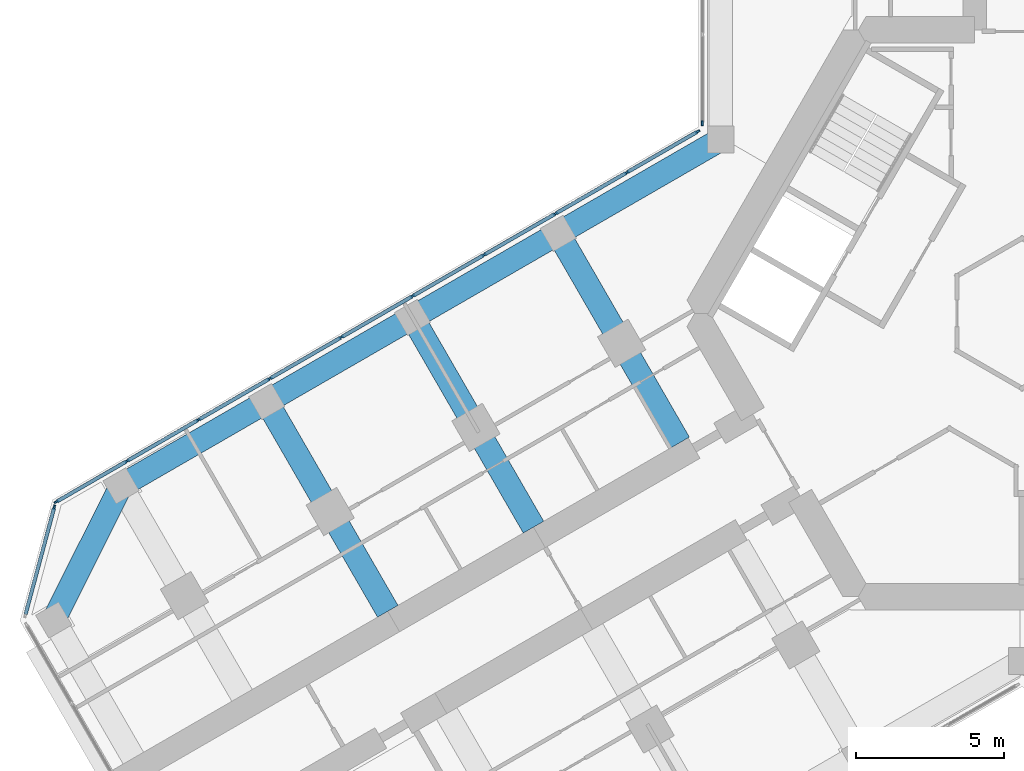
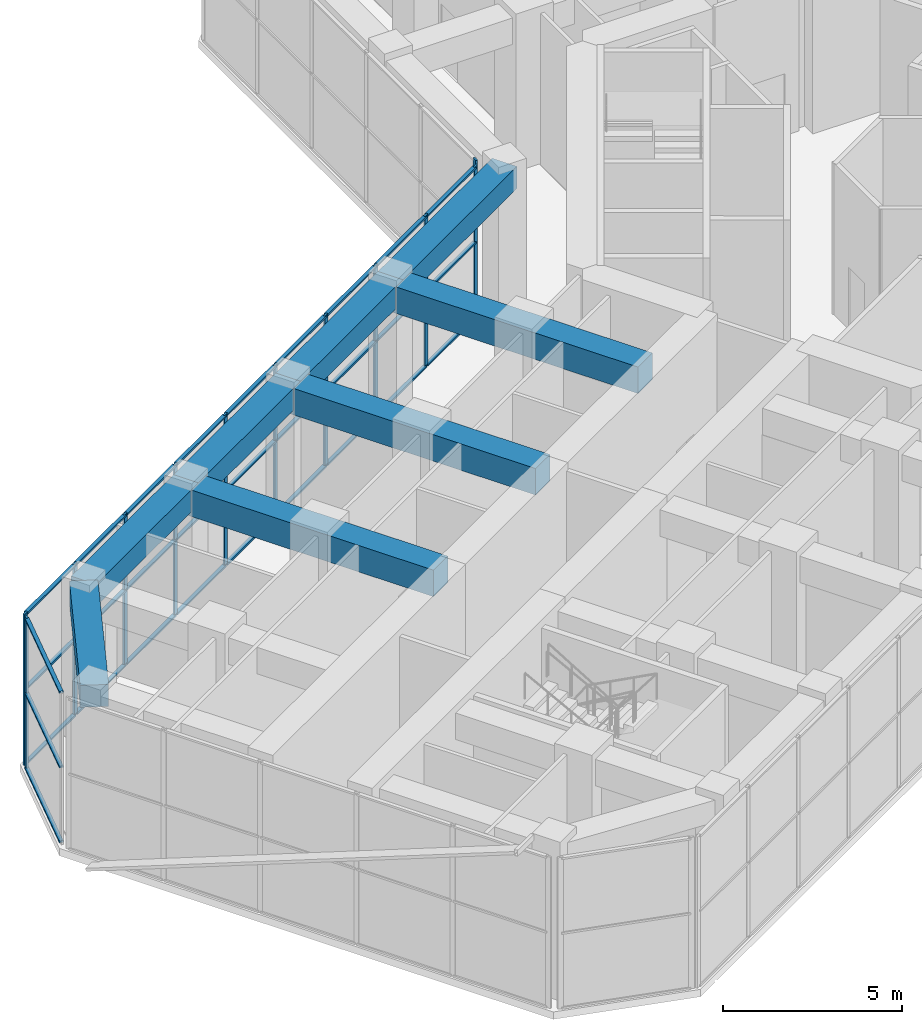
# One storey, part 4 of 20: 42 members, 8 beams, 3 elements without a shape of their own.
"""IFC4 building model written with IfcOpenShell, lengths in metres."""

from ifc_helpers import new_model, si_unit, direction, frame, origin, origin_2d, place, context, subcontext, project, spatial, rectangle, extrude, material, material_profile, profile_set, type_object, element, aggregate, save


model = new_model("IFC4")

# Units and contexts
model_context = context("Model", 3, precision=1e-05, world=origin(), true_north=direction((0.0, 1.0)))
body_context = subcontext(model_context, "Body", "Model", "MODEL_VIEW")
ifc_project = project(units=[si_unit("LENGTHUNIT", "METRE"), si_unit("AREAUNIT", "SQUARE_METRE"), si_unit("VOLUMEUNIT", "CUBIC_METRE"), si_unit("PLANEANGLEUNIT", "RADIAN"), si_unit("MASSUNIT", "GRAM", prefix="KILO")], contexts=[model_context])

# Site, building, storey
site_placement = place(None, origin())
site = spatial("IfcSite", under=ifc_project, at=site_placement, CompositionType="ELEMENT")
building_placement = place(site_placement, origin())
building = spatial("IfcBuilding", under=site, at=building_placement, Name="Kosmar Iwan School Tower", CompositionType="ELEMENT")
storey_placement = place(building_placement, frame((0.0, 0.0, 152.60009765625)))
storey = spatial("IfcBuildingStorey", under=building, at=storey_placement, Name="L38", CompositionType="ELEMENT", Elevation=152.60009765625)

# Curtain wall, member
ifc_material_1 = material(Name="Dark glass in black aluminium frame", Category="aluminium")
curtain_wall_type_1 = type_object("IfcCurtainWallType", Name="Winter garden curtain wall", PredefinedType="USERDEFINED", material=ifc_material_1)
curtain_wall_1_placement = place(storey_placement, origin())
curtain_wall_1 = element("IfcCurtainWall", 1, at=curtain_wall_1_placement, inside=storey, type_object=curtain_wall_type_1, Name="Curtain wall L38-F10", ObjectType="WINTER GARDEN CURTAIN WALL", PredefinedType="USERDEFINED")
ifc_material_2 = material(Name="Black anodised aluminium", Category="aluminium")
ifc_material_profile_1 = material_profile(ifc_material_2, rectangle(XDim=0.06005859375, YDim=0.159912109375, at=origin_2d()), Name="MULLION 60x160")
ifc_profile_set_1 = profile_set([ifc_material_profile_1], Name="Black anodised aluminium")
member_type_1 = type_object("IfcMemberType", Name="Mullion 60x160", PredefinedType="MULLION", material=ifc_profile_set_1)
member_1_placement = place(storey_placement, frame((-10.824951171875, 6.43896484375, 0.0), z_axis=(0.0, 0.0, 1.0), x_axis=(-1.0, 0.0, 0.0)))
member_1 = element("IfcMember", 2, at=member_1_placement, type_object=member_type_1, Name="CW7 mullion 1", PredefinedType="MULLION", context=body_context, shape_type="SweptSolid", body=[
    extrude(rectangle(XDim=0.06005859375, YDim=0.159912109375, at=origin_2d()), origin(), (0.0, 0.0, 1.0), 5.14990234375),
])
aggregate(curtain_wall_1, [member_1])

# Curtain wall, members
curtain_wall_2_placement = place(storey_placement, origin())
curtain_wall_2 = element("IfcCurtainWall", 3, at=curtain_wall_2_placement, inside=storey, type_object=curtain_wall_type_1, Name="Curtain wall L38-F11", ObjectType="WINTER GARDEN CURTAIN WALL", PredefinedType="USERDEFINED")
member_2_placement = place(storey_placement, frame((-10.98876953125, 6.1552734375, 0.0), z_axis=(0.0, 0.0, 1.0), x_axis=(0.500000014888, -0.866025395189, 0.0)))
member_2 = element("IfcMember", 4, at=member_2_placement, type_object=member_type_1, Name="CW7 mullion 1", PredefinedType="MULLION", context=body_context, shape_type="SweptSolid", body=[
    extrude(rectangle(XDim=0.06005859375, YDim=0.159912109375, at=origin_2d()), origin(), (0.0, 0.0, 1.0), 5.14990234375),
])
member_3_placement = place(storey_placement, frame((-13.3818359375, 4.773681640625, 0.0), z_axis=(0.0, 0.0, 1.0), x_axis=(0.500000014888, -0.866025395189, 0.0)))
member_3 = element("IfcMember", 5, at=member_3_placement, type_object=member_type_1, Name="CW7 mullion 2", PredefinedType="MULLION", context=body_context, shape_type="SweptSolid", body=[
    extrude(rectangle(XDim=0.06005859375, YDim=0.159912109375, at=origin_2d()), origin(), (0.0, 0.0, 1.0), 5.14990234375),
])
member_4_placement = place(storey_placement, frame((-15.80078125, 3.376953125, 0.0), z_axis=(0.0, 0.0, 1.0), x_axis=(0.500000014888, -0.866025395189, 0.0)))
member_4 = element("IfcMember", 6, at=member_4_placement, type_object=member_type_1, Name="CW7 mullion 3", PredefinedType="MULLION", context=body_context, shape_type="SweptSolid", body=[
    extrude(rectangle(XDim=0.06005859375, YDim=0.159912109375, at=origin_2d()), origin(), (0.0, 0.0, 1.0), 5.14990234375),
])
member_5_placement = place(storey_placement, frame((-18.219970703125, 1.98046875, 0.0), z_axis=(0.0, 0.0, 1.0), x_axis=(0.500000014888, -0.866025395189, 0.0)))
member_5 = element("IfcMember", 7, at=member_5_placement, type_object=member_type_1, Name="CW7 mullion 4", PredefinedType="MULLION", context=body_context, shape_type="SweptSolid", body=[
    extrude(rectangle(XDim=0.06005859375, YDim=0.159912109375, at=origin_2d()), origin(), (0.0, 0.0, 1.0), 5.14990234375),
])
member_6_placement = place(storey_placement, frame((-20.638916015625, 0.583740234375, 0.0), z_axis=(0.0, 0.0, 1.0), x_axis=(0.500000014888, -0.866025395189, 0.0)))
member_6 = element("IfcMember", 8, at=member_6_placement, type_object=member_type_1, Name="CW7 mullion 5", PredefinedType="MULLION", context=body_context, shape_type="SweptSolid", body=[
    extrude(rectangle(XDim=0.06005859375, YDim=0.159912109375, at=origin_2d()), origin(), (0.0, 0.0, 1.0), 5.14990234375),
])
member_7_placement = place(storey_placement, frame((-23.057861328125, -0.81298828125, 0.0), z_axis=(0.0, 0.0, 1.0), x_axis=(0.500000014888, -0.866025395189, 0.0)))
member_7 = element("IfcMember", 9, at=member_7_placement, type_object=member_type_1, Name="CW7 mullion 6", PredefinedType="MULLION", context=body_context, shape_type="SweptSolid", body=[
    extrude(rectangle(XDim=0.06005859375, YDim=0.159912109375, at=origin_2d()), origin(), (0.0, 0.0, 1.0), 5.14990234375),
])
member_8_placement = place(storey_placement, frame((-25.47705078125, -2.20947265625, 0.0), z_axis=(0.0, 0.0, 1.0), x_axis=(0.500000014888, -0.866025395189, 0.0)))
member_8 = element("IfcMember", 10, at=member_8_placement, type_object=member_type_1, Name="CW7 mullion 7", PredefinedType="MULLION", context=body_context, shape_type="SweptSolid", body=[
    extrude(rectangle(XDim=0.06005859375, YDim=0.159912109375, at=origin_2d()), origin(), (0.0, 0.0, 1.0), 5.14990234375),
])
member_9_placement = place(storey_placement, frame((-27.89599609375, -3.606201171875, 0.0), z_axis=(0.0, 0.0, 1.0), x_axis=(0.500000014888, -0.866025395189, 0.0)))
member_9 = element("IfcMember", 11, at=member_9_placement, type_object=member_type_1, Name="CW7 mullion 8", PredefinedType="MULLION", context=body_context, shape_type="SweptSolid", body=[
    extrude(rectangle(XDim=0.06005859375, YDim=0.159912109375, at=origin_2d()), origin(), (0.0, 0.0, 1.0), 5.14990234375),
])
member_10_placement = place(storey_placement, frame((-30.31494140625, -5.002685546875, 0.0), z_axis=(0.0, 0.0, 1.0), x_axis=(0.500000014888, -0.866025395189, 0.0)))
member_10 = element("IfcMember", 12, at=member_10_placement, type_object=member_type_1, Name="CW7 mullion 9", PredefinedType="MULLION", context=body_context, shape_type="SweptSolid", body=[
    extrude(rectangle(XDim=0.06005859375, YDim=0.159912109375, at=origin_2d()), origin(), (0.0, 0.0, 1.0), 5.14990234375),
])
member_11_placement = place(storey_placement, frame((-32.7080078125, -6.38427734375, 0.0), z_axis=(0.0, 0.0, 1.0), x_axis=(0.500000014888, -0.866025395189, 0.0)))
member_11 = element("IfcMember", 13, at=member_11_placement, type_object=member_type_1, Name="CW7 mullion 10", PredefinedType="MULLION", context=body_context, shape_type="SweptSolid", body=[
    extrude(rectangle(XDim=0.06005859375, YDim=0.159912109375, at=origin_2d()), origin(), (0.0, 0.0, 1.0), 5.14990234375),
])

# Curtain wall, member
ifc_material_3 = material(Name="Dark glass in black aluminium frame", Category="aluminium")
curtain_wall_type_2 = type_object("IfcCurtainWallType", Name="Chamfer curtain wall dark glass", PredefinedType="USERDEFINED", material=ifc_material_3)
curtain_wall_3_placement = place(storey_placement, origin())
curtain_wall_3 = element("IfcCurtainWall", 14, at=curtain_wall_3_placement, inside=storey, type_object=curtain_wall_type_2, Name="Curtain wall L38-F12", ObjectType="FACETED CURTAIN WALL", PredefinedType="USERDEFINED")
member_12_placement = place(storey_placement, frame((-32.78076171875, -6.5732421875, 0.0), z_axis=(0.0, 0.0, 1.0), x_axis=(0.965925875495, -0.258818861462, 0.0)))
member_12 = element("IfcMember", 15, at=member_12_placement, type_object=member_type_1, Name="CW2 mullion 1", PredefinedType="MULLION", context=body_context, shape_type="SweptSolid", body=[
    extrude(rectangle(XDim=0.06005859375, YDim=0.159912109375, at=origin_2d()), origin(), (0.0, 0.0, 1.0), 5.14990234375),
])

# Beams
ifc_material_4 = material(Name="Concrete C50/60", Category="concrete")
ifc_material_profile_2 = material_profile(ifc_material_4, rectangle(XDim=0.800048828125, YDim=0.75, at=origin_2d()), Name="RC 800x750")
ifc_profile_set_2 = profile_set([ifc_material_profile_2], Name="Concrete C50/60")
beam_type_1 = type_object("IfcBeamType", Name="RC edge beam 800x750", PredefinedType="BEAM", material=ifc_profile_set_2)
beam_1_placement = place(storey_placement, frame((-10.199951171875, 5.888916015625, 4.77490234375), z_axis=(-0.866030912664, -0.49999045822, 0.0), x_axis=(0.49999045822, -0.866030912664, 0.0)))
element("IfcBeam", 16, at=beam_1_placement, inside=storey, type_object=beam_type_1, Name="Edge beam BR1", PredefinedType="BEAM", context=body_context, shape_type="SweptSolid", body=[
    extrude(rectangle(XDim=0.800048828125, YDim=0.75, at=origin_2d()), origin(), (0.0, 0.0, 1.0), 6.36083984375),
])
beam_2_placement = place(storey_placement, frame((-15.708740234375, 2.70849609375, 4.77490234375), z_axis=(-0.866025820012, -0.499999279071, 0.0), x_axis=(0.499999279071, -0.866025820012, 0.0)))
element("IfcBeam", 17, at=beam_2_placement, inside=storey, type_object=beam_type_1, Name="Edge beam BR2", PredefinedType="BEAM", context=body_context, shape_type="SweptSolid", body=[
    extrude(rectangle(XDim=0.800048828125, YDim=0.75, at=origin_2d()), origin(), (0.0, 0.0, 1.0), 5.7001953125),
])
for number, where, z_axis, x_axis, name in (
    (18, (-20.645263671875, -0.1416015625, 4.77490234375), (-0.866033658841, -0.49998570155, 0.0), (0.49998570155, -0.866033658841, 0.0), "Edge beam BR3"),
    (19, (-25.58154296875, -2.991455078125, 4.77490234375), (-0.866015111908, -0.50001782563, 0.0), (0.50001782563, -0.866015111908, 0.0), "Edge beam BR4"),
):
    element("IfcBeam", number, at=place(storey_placement, frame(where, z_axis=z_axis, x_axis=x_axis)), inside=storey, type_object=beam_type_1, Name=name, PredefinedType="BEAM", context=body_context, shape_type="SweptSolid", body=[
        extrude(rectangle(XDim=0.800048828125, YDim=0.75, at=origin_2d()), origin(), (0.0, 0.0, 1.0), 5.699951171875),
    ])
ifc_material_5 = material(Name="Concrete C50/60", Category="concrete")
ifc_material_profile_3 = material_profile(ifc_material_5, rectangle(XDim=0.800048828125, YDim=0.75, at=origin_2d()), Name="RC 800x750")
ifc_profile_set_3 = profile_set([ifc_material_profile_3], Name="Concrete C50/60")
beam_type_2 = type_object("IfcBeamType", Name="RC tip beam 800x750", PredefinedType="BEAM", material=ifc_profile_set_3)
beam_3_placement = place(storey_placement, frame((-30.517822265625, -5.841552734375, 4.77490234375), z_axis=(-0.44809604203, -0.893985423325, 0.0), x_axis=(0.893985423325, -0.44809604203, 0.0)))
element("IfcBeam", 20, at=beam_3_placement, inside=storey, type_object=beam_type_2, Name="Tip beam BR", PredefinedType="BEAM", context=body_context, shape_type="SweptSolid", body=[
    extrude(rectangle(XDim=0.800048828125, YDim=0.75, at=origin_2d()), origin(), (0.0, 0.0, 1.0), 5.08935546875),
])
ifc_material_6 = material(Name="Concrete C50/60", Category="concrete")
ifc_material_profile_4 = material_profile(ifc_material_6, rectangle(XDim=0.800048828125, YDim=0.89990234375, at=origin_2d()), Name="RC 800x900")
ifc_profile_set_4 = profile_set([ifc_material_profile_4], Name="Concrete C50/60")
beam_type_3 = type_object("IfcBeamType", Name="RC transverse beam 800x900", PredefinedType="BEAM", material=ifc_profile_set_4)
for number, where, z_axis, x_axis, name in (
    (21, (-15.708740234375, 2.70849609375, 4.699951171875), (0.499978459874, -0.866037839625, 0.0), (0.866037839625, 0.499978459874, 0.0), "Transverse beam BR1"),
    (22, (-20.645263671875, -0.1416015625, 4.699951171875), (0.500013681986, -0.866017504342, 0.0), (0.866017504342, 0.500013681986, 0.0), "Transverse beam BR2"),
):
    element("IfcBeam", number, at=place(storey_placement, frame(where, z_axis=z_axis, x_axis=x_axis)), inside=storey, type_object=beam_type_3, Name=name, PredefinedType="BEAM", context=body_context, shape_type="SweptSolid", body=[
        extrude(rectangle(XDim=0.800048828125, YDim=0.89990234375, at=origin_2d()), origin(), (0.0, 0.0, 1.0), 8.199951171875),
    ])
beam_4_placement = place(storey_placement, frame((-25.58154296875, -2.991455078125, 4.699951171875), z_axis=(0.500000789788, -0.8660249478, 0.0), x_axis=(0.8660249478, 0.500000789788, 0.0)))
element("IfcBeam", 23, at=beam_4_placement, inside=storey, type_object=beam_type_3, Name="Transverse beam BR3", PredefinedType="BEAM", context=body_context, shape_type="SweptSolid", body=[
    extrude(rectangle(XDim=0.800048828125, YDim=0.89990234375, at=origin_2d()), origin(), (0.0, 0.0, 1.0), 8.2001953125),
])

# Member
ifc_material_7 = material(Name="Black anodised aluminium", Category="aluminium")
ifc_material_profile_5 = material_profile(ifc_material_7, rectangle(XDim=0.1201171875, YDim=0.06005859375, at=origin_2d()), Name="TRANSOM 60x120")
ifc_profile_set_5 = profile_set([ifc_material_profile_5], Name="Black anodised aluminium")
member_type_2 = type_object("IfcMemberType", Name="Transom 60x120", PredefinedType="USERDEFINED", material=ifc_profile_set_5)
member_13_placement = place(storey_placement, frame((-11.014892578125, 6.14013671875, 0.02978515625), z_axis=(-0.866033683985, -0.499985657998, 0.0), x_axis=(0.499985657998, -0.866033683985, 0.0)))
member_13 = element("IfcMember", 24, at=member_13_placement, type_object=member_type_2, Name="CW7 transom 1.1", ObjectType="TRANSOM", PredefinedType="USERDEFINED", context=body_context, shape_type="SweptSolid", body=[
    extrude(rectangle(XDim=0.1201171875, YDim=0.06005859375, at=origin_2d()), origin(), (0.0, 0.0, 1.0), 2.703125),
])

member_14_placement = place(storey_placement, frame((-11.014892578125, 6.14013671875, 2.574951171875), z_axis=(-0.866033683985, -0.499985657998, 0.0), x_axis=(0.499985657998, -0.866033683985, 0.0)))
member_14 = element("IfcMember", 25, at=member_14_placement, type_object=member_type_2, Name="CW7 transom 1.2", ObjectType="TRANSOM", PredefinedType="USERDEFINED", context=body_context, shape_type="SweptSolid", body=[
    extrude(rectangle(XDim=0.1201171875, YDim=0.06005859375, at=origin_2d()), origin(), (0.0, 0.0, 1.0), 2.703125),
])

member_15_placement = place(storey_placement, frame((-11.014892578125, 6.14013671875, 5.119873046875), z_axis=(-0.866033683985, -0.499985657998, 0.0), x_axis=(0.499985657998, -0.866033683985, 0.0)))
member_15 = element("IfcMember", 26, at=member_15_placement, type_object=member_type_2, Name="CW7 transom 1.3", ObjectType="TRANSOM", PredefinedType="USERDEFINED", context=body_context, shape_type="SweptSolid", body=[
    extrude(rectangle(XDim=0.1201171875, YDim=0.06005859375, at=origin_2d()), origin(), (0.0, 0.0, 1.0), 2.703125),
])

member_16_placement = place(storey_placement, frame((-13.407958984375, 4.758544921875, 0.02978515625), z_axis=(-0.866041295585, -0.499972473583, 0.0), x_axis=(0.499972473583, -0.866041295585, 0.0)))
member_16 = element("IfcMember", 27, at=member_16_placement, type_object=member_type_2, Name="CW7 transom 2.1", ObjectType="TRANSOM", PredefinedType="USERDEFINED", context=body_context, shape_type="SweptSolid", body=[
    extrude(rectangle(XDim=0.1201171875, YDim=0.06005859375, at=origin_2d()), origin(), (0.0, 0.0, 1.0), 2.733154296875),
])

member_17_placement = place(storey_placement, frame((-13.407958984375, 4.758544921875, 2.574951171875), z_axis=(-0.866041295585, -0.499972473583, 0.0), x_axis=(0.499972473583, -0.866041295585, 0.0)))
member_17 = element("IfcMember", 28, at=member_17_placement, type_object=member_type_2, Name="CW7 transom 2.2", ObjectType="TRANSOM", PredefinedType="USERDEFINED", context=body_context, shape_type="SweptSolid", body=[
    extrude(rectangle(XDim=0.1201171875, YDim=0.06005859375, at=origin_2d()), origin(), (0.0, 0.0, 1.0), 2.733154296875),
])

member_18_placement = place(storey_placement, frame((-13.407958984375, 4.758544921875, 5.119873046875), z_axis=(-0.866041295585, -0.499972473583, 0.0), x_axis=(0.499972473583, -0.866041295585, 0.0)))
member_18 = element("IfcMember", 29, at=member_18_placement, type_object=member_type_2, Name="CW7 transom 2.3", ObjectType="TRANSOM", PredefinedType="USERDEFINED", context=body_context, shape_type="SweptSolid", body=[
    extrude(rectangle(XDim=0.1201171875, YDim=0.06005859375, at=origin_2d()), origin(), (0.0, 0.0, 1.0), 2.733154296875),
])

member_19_placement = place(storey_placement, frame((-15.826904296875, 3.362060546875, 0.02978515625), z_axis=(-0.866002615699, -0.500039468044, 0.0), x_axis=(0.500039468044, -0.866002615699, 0.0)))
member_19 = element("IfcMember", 30, at=member_19_placement, type_object=member_type_2, Name="CW7 transom 3.1", ObjectType="TRANSOM", PredefinedType="USERDEFINED", context=body_context, shape_type="SweptSolid", body=[
    extrude(rectangle(XDim=0.1201171875, YDim=0.06005859375, at=origin_2d()), origin(), (0.0, 0.0, 1.0), 2.733154296875),
])

member_20_placement = place(storey_placement, frame((-15.826904296875, 3.362060546875, 2.574951171875), z_axis=(-0.866002615699, -0.500039468044, 0.0), x_axis=(0.500039468044, -0.866002615699, 0.0)))
member_20 = element("IfcMember", 31, at=member_20_placement, type_object=member_type_2, Name="CW7 transom 3.2", ObjectType="TRANSOM", PredefinedType="USERDEFINED", context=body_context, shape_type="SweptSolid", body=[
    extrude(rectangle(XDim=0.1201171875, YDim=0.06005859375, at=origin_2d()), origin(), (0.0, 0.0, 1.0), 2.733154296875),
])

member_21_placement = place(storey_placement, frame((-15.826904296875, 3.362060546875, 5.119873046875), z_axis=(-0.866002615699, -0.500039468044, 0.0), x_axis=(0.500039468044, -0.866002615699, 0.0)))
member_21 = element("IfcMember", 32, at=member_21_placement, type_object=member_type_2, Name="CW7 transom 3.3", ObjectType="TRANSOM", PredefinedType="USERDEFINED", context=body_context, shape_type="SweptSolid", body=[
    extrude(rectangle(XDim=0.1201171875, YDim=0.06005859375, at=origin_2d()), origin(), (0.0, 0.0, 1.0), 2.733154296875),
])

member_22_placement = place(storey_placement, frame((-18.245849609375, 1.96533203125, 0.02978515625), z_axis=(-0.8660249478, -0.500000789788, 0.0), x_axis=(0.500000789788, -0.8660249478, 0.0)))
member_22 = element("IfcMember", 33, at=member_22_placement, type_object=member_type_2, Name="CW7 transom 4.1", ObjectType="TRANSOM", PredefinedType="USERDEFINED", context=body_context, shape_type="SweptSolid", body=[
    extrude(rectangle(XDim=0.1201171875, YDim=0.06005859375, at=origin_2d()), origin(), (0.0, 0.0, 1.0), 2.7333984375),
])

member_23_placement = place(storey_placement, frame((-18.245849609375, 1.96533203125, 2.574951171875), z_axis=(-0.8660249478, -0.500000789788, 0.0), x_axis=(0.500000789788, -0.8660249478, 0.0)))
member_23 = element("IfcMember", 34, at=member_23_placement, type_object=member_type_2, Name="CW7 transom 4.2", ObjectType="TRANSOM", PredefinedType="USERDEFINED", context=body_context, shape_type="SweptSolid", body=[
    extrude(rectangle(XDim=0.1201171875, YDim=0.06005859375, at=origin_2d()), origin(), (0.0, 0.0, 1.0), 2.7333984375),
])

member_24_placement = place(storey_placement, frame((-18.245849609375, 1.96533203125, 5.119873046875), z_axis=(-0.8660249478, -0.500000789788, 0.0), x_axis=(0.500000789788, -0.8660249478, 0.0)))
member_24 = element("IfcMember", 35, at=member_24_placement, type_object=member_type_2, Name="CW7 transom 4.3", ObjectType="TRANSOM", PredefinedType="USERDEFINED", context=body_context, shape_type="SweptSolid", body=[
    extrude(rectangle(XDim=0.1201171875, YDim=0.06005859375, at=origin_2d()), origin(), (0.0, 0.0, 1.0), 2.7333984375),
])

member_25_placement = place(storey_placement, frame((-20.664794921875, 0.56884765625, 0.02978515625), z_axis=(-0.8660249478, -0.500000789788, 0.0), x_axis=(0.500000789788, -0.8660249478, 0.0)))
member_25 = element("IfcMember", 36, at=member_25_placement, type_object=member_type_2, Name="CW7 transom 5.1", ObjectType="TRANSOM", PredefinedType="USERDEFINED", context=body_context, shape_type="SweptSolid", body=[
    extrude(rectangle(XDim=0.1201171875, YDim=0.06005859375, at=origin_2d()), origin(), (0.0, 0.0, 1.0), 2.7333984375),
])

member_26_placement = place(storey_placement, frame((-20.664794921875, 0.56884765625, 2.574951171875), z_axis=(-0.8660249478, -0.500000789788, 0.0), x_axis=(0.500000789788, -0.8660249478, 0.0)))
member_26 = element("IfcMember", 37, at=member_26_placement, type_object=member_type_2, Name="CW7 transom 5.2", ObjectType="TRANSOM", PredefinedType="USERDEFINED", context=body_context, shape_type="SweptSolid", body=[
    extrude(rectangle(XDim=0.1201171875, YDim=0.06005859375, at=origin_2d()), origin(), (0.0, 0.0, 1.0), 2.7333984375),
])

member_27_placement = place(storey_placement, frame((-20.664794921875, 0.56884765625, 5.119873046875), z_axis=(-0.8660249478, -0.500000789788, 0.0), x_axis=(0.500000789788, -0.8660249478, 0.0)))
member_27 = element("IfcMember", 38, at=member_27_placement, type_object=member_type_2, Name="CW7 transom 5.3", ObjectType="TRANSOM", PredefinedType="USERDEFINED", context=body_context, shape_type="SweptSolid", body=[
    extrude(rectangle(XDim=0.1201171875, YDim=0.06005859375, at=origin_2d()), origin(), (0.0, 0.0, 1.0), 2.7333984375),
])

member_28_placement = place(storey_placement, frame((-23.083984375, -0.827880859375, 0.02978515625), z_axis=(-0.866002615699, -0.500039468044, 0.0), x_axis=(0.500039468044, -0.866002615699, 0.0)))
member_28 = element("IfcMember", 39, at=member_28_placement, type_object=member_type_2, Name="CW7 transom 6.1", ObjectType="TRANSOM", PredefinedType="USERDEFINED", context=body_context, shape_type="SweptSolid", body=[
    extrude(rectangle(XDim=0.1201171875, YDim=0.06005859375, at=origin_2d()), origin(), (0.0, 0.0, 1.0), 2.733154296875),
])

member_29_placement = place(storey_placement, frame((-23.083984375, -0.827880859375, 2.574951171875), z_axis=(-0.866002615699, -0.500039468044, 0.0), x_axis=(0.500039468044, -0.866002615699, 0.0)))
member_29 = element("IfcMember", 40, at=member_29_placement, type_object=member_type_2, Name="CW7 transom 6.2", ObjectType="TRANSOM", PredefinedType="USERDEFINED", context=body_context, shape_type="SweptSolid", body=[
    extrude(rectangle(XDim=0.1201171875, YDim=0.06005859375, at=origin_2d()), origin(), (0.0, 0.0, 1.0), 2.733154296875),
])

member_30_placement = place(storey_placement, frame((-23.083984375, -0.827880859375, 5.119873046875), z_axis=(-0.866002615699, -0.500039468044, 0.0), x_axis=(0.500039468044, -0.866002615699, 0.0)))
member_30 = element("IfcMember", 41, at=member_30_placement, type_object=member_type_2, Name="CW7 transom 6.3", ObjectType="TRANSOM", PredefinedType="USERDEFINED", context=body_context, shape_type="SweptSolid", body=[
    extrude(rectangle(XDim=0.1201171875, YDim=0.06005859375, at=origin_2d()), origin(), (0.0, 0.0, 1.0), 2.733154296875),
])

member_31_placement = place(storey_placement, frame((-25.5029296875, -2.224609375, 0.02978515625), z_axis=(-0.866063622699, -0.499933797055, 0.0), x_axis=(0.499933797055, -0.866063622699, 0.0)))
member_31 = element("IfcMember", 42, at=member_31_placement, type_object=member_type_2, Name="CW7 transom 7.1", ObjectType="TRANSOM", PredefinedType="USERDEFINED", context=body_context, shape_type="SweptSolid", body=[
    extrude(rectangle(XDim=0.1201171875, YDim=0.06005859375, at=origin_2d()), origin(), (0.0, 0.0, 1.0), 2.733154296875),
])

member_32_placement = place(storey_placement, frame((-25.5029296875, -2.224609375, 2.574951171875), z_axis=(-0.866063622699, -0.499933797055, 0.0), x_axis=(0.499933797055, -0.866063622699, 0.0)))
member_32 = element("IfcMember", 43, at=member_32_placement, type_object=member_type_2, Name="CW7 transom 7.2", ObjectType="TRANSOM", PredefinedType="USERDEFINED", context=body_context, shape_type="SweptSolid", body=[
    extrude(rectangle(XDim=0.1201171875, YDim=0.06005859375, at=origin_2d()), origin(), (0.0, 0.0, 1.0), 2.733154296875),
])

member_33_placement = place(storey_placement, frame((-25.5029296875, -2.224609375, 5.119873046875), z_axis=(-0.866063622699, -0.499933797055, 0.0), x_axis=(0.499933797055, -0.866063622699, 0.0)))
member_33 = element("IfcMember", 44, at=member_33_placement, type_object=member_type_2, Name="CW7 transom 7.3", ObjectType="TRANSOM", PredefinedType="USERDEFINED", context=body_context, shape_type="SweptSolid", body=[
    extrude(rectangle(XDim=0.1201171875, YDim=0.06005859375, at=origin_2d()), origin(), (0.0, 0.0, 1.0), 2.733154296875),
])

member_34_placement = place(storey_placement, frame((-27.921875, -3.62109375, 0.02978515625), z_axis=(-0.8660249478, -0.500000789788, 0.0), x_axis=(0.500000789788, -0.8660249478, 0.0)))
member_34 = element("IfcMember", 45, at=member_34_placement, type_object=member_type_2, Name="CW7 transom 8.1", ObjectType="TRANSOM", PredefinedType="USERDEFINED", context=body_context, shape_type="SweptSolid", body=[
    extrude(rectangle(XDim=0.1201171875, YDim=0.06005859375, at=origin_2d()), origin(), (0.0, 0.0, 1.0), 2.7333984375),
])

member_35_placement = place(storey_placement, frame((-27.921875, -3.62109375, 2.574951171875), z_axis=(-0.8660249478, -0.500000789788, 0.0), x_axis=(0.500000789788, -0.8660249478, 0.0)))
member_35 = element("IfcMember", 46, at=member_35_placement, type_object=member_type_2, Name="CW7 transom 8.2", ObjectType="TRANSOM", PredefinedType="USERDEFINED", context=body_context, shape_type="SweptSolid", body=[
    extrude(rectangle(XDim=0.1201171875, YDim=0.06005859375, at=origin_2d()), origin(), (0.0, 0.0, 1.0), 2.7333984375),
])

member_36_placement = place(storey_placement, frame((-27.921875, -3.62109375, 5.119873046875), z_axis=(-0.8660249478, -0.500000789788, 0.0), x_axis=(0.500000789788, -0.8660249478, 0.0)))
member_36 = element("IfcMember", 47, at=member_36_placement, type_object=member_type_2, Name="CW7 transom 8.3", ObjectType="TRANSOM", PredefinedType="USERDEFINED", context=body_context, shape_type="SweptSolid", body=[
    extrude(rectangle(XDim=0.1201171875, YDim=0.06005859375, at=origin_2d()), origin(), (0.0, 0.0, 1.0), 2.7333984375),
])

member_37_placement = place(storey_placement, frame((-30.341064453125, -5.017822265625, 0.02978515625), z_axis=(-0.866033683985, -0.499985657998, 0.0), x_axis=(0.499985657998, -0.866033683985, 0.0)))
member_37 = element("IfcMember", 48, at=member_37_placement, type_object=member_type_2, Name="CW7 transom 9.1", ObjectType="TRANSOM", PredefinedType="USERDEFINED", context=body_context, shape_type="SweptSolid", body=[
    extrude(rectangle(XDim=0.1201171875, YDim=0.06005859375, at=origin_2d()), origin(), (0.0, 0.0, 1.0), 2.703125),
])

member_38_placement = place(storey_placement, frame((-30.341064453125, -5.017822265625, 2.574951171875), z_axis=(-0.866033683985, -0.499985657998, 0.0), x_axis=(0.499985657998, -0.866033683985, 0.0)))
member_38 = element("IfcMember", 49, at=member_38_placement, type_object=member_type_2, Name="CW7 transom 9.2", ObjectType="TRANSOM", PredefinedType="USERDEFINED", context=body_context, shape_type="SweptSolid", body=[
    extrude(rectangle(XDim=0.1201171875, YDim=0.06005859375, at=origin_2d()), origin(), (0.0, 0.0, 1.0), 2.703125),
])

member_39_placement = place(storey_placement, frame((-30.341064453125, -5.017822265625, 5.119873046875), z_axis=(-0.866033683985, -0.499985657998, 0.0), x_axis=(0.499985657998, -0.866033683985, 0.0)))
member_39 = element("IfcMember", 50, at=member_39_placement, type_object=member_type_2, Name="CW7 transom 9.3", ObjectType="TRANSOM", PredefinedType="USERDEFINED", context=body_context, shape_type="SweptSolid", body=[
    extrude(rectangle(XDim=0.1201171875, YDim=0.06005859375, at=origin_2d()), origin(), (0.0, 0.0, 1.0), 2.703125),
])

aggregate(curtain_wall_2, [member_2, member_3, member_4, member_5, member_6, member_7, member_8, member_9, member_10, member_11, member_13, member_14, member_15, member_16, member_17, member_18, member_19, member_20, member_21, member_22, member_23, member_24, member_25, member_26, member_27, member_28, member_29, member_30, member_31, member_32, member_33, member_34, member_35, member_36, member_37, member_38, member_39])

member_40_placement = place(storey_placement, frame((-32.788330078125, -6.602294921875, 0.02978515625), z_axis=(-0.258843273983, -0.965919333854, 0.0), x_axis=(0.965919333854, -0.258843273983, 0.0)))
member_40 = element("IfcMember", 51, at=member_40_placement, type_object=member_type_2, Name="CW2 transom 1.1", ObjectType="TRANSOM", PredefinedType="USERDEFINED", context=body_context, shape_type="SweptSolid", body=[
    extrude(rectangle(XDim=0.1201171875, YDim=0.06005859375, at=origin_2d()), origin(), (0.0, 0.0, 1.0), 3.718994140625),
])

member_41_placement = place(storey_placement, frame((-32.788330078125, -6.602294921875, 2.574951171875), z_axis=(-0.258843273983, -0.965919333854, 0.0), x_axis=(0.965919333854, -0.258843273983, 0.0)))
member_41 = element("IfcMember", 52, at=member_41_placement, type_object=member_type_2, Name="CW2 transom 1.2", ObjectType="TRANSOM", PredefinedType="USERDEFINED", context=body_context, shape_type="SweptSolid", body=[
    extrude(rectangle(XDim=0.1201171875, YDim=0.06005859375, at=origin_2d()), origin(), (0.0, 0.0, 1.0), 3.718994140625),
])

member_42_placement = place(storey_placement, frame((-32.788330078125, -6.602294921875, 5.119873046875), z_axis=(-0.258843273983, -0.965919333854, 0.0), x_axis=(0.965919333854, -0.258843273983, 0.0)))
member_42 = element("IfcMember", 53, at=member_42_placement, type_object=member_type_2, Name="CW2 transom 1.3", ObjectType="TRANSOM", PredefinedType="USERDEFINED", context=body_context, shape_type="SweptSolid", body=[
    extrude(rectangle(XDim=0.1201171875, YDim=0.06005859375, at=origin_2d()), origin(), (0.0, 0.0, 1.0), 3.718994140625),
])

aggregate(curtain_wall_3, [member_12, member_40, member_41, member_42])

save(model, "model.ifc")
